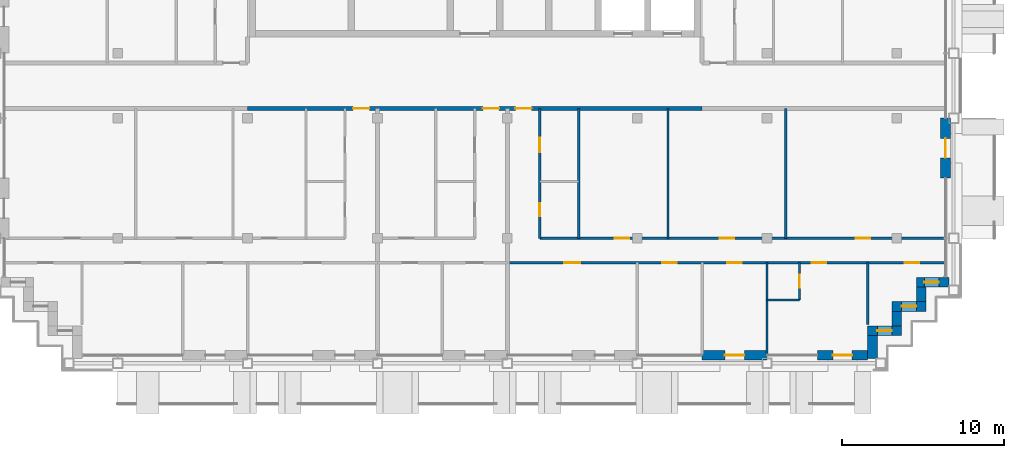
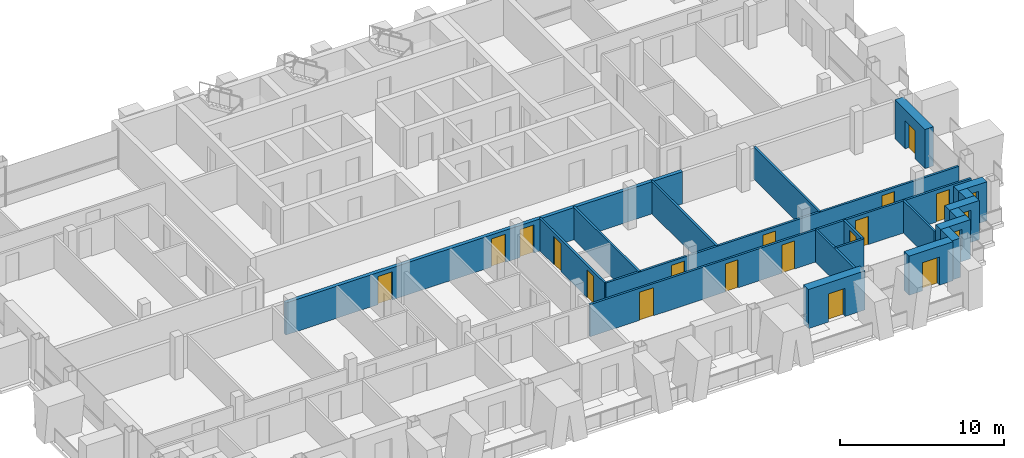
# One storey, part 9 of 16: 20 walls, 17 doors, 3 windows, 20 openings.
"""IFC4 building model written with IfcOpenShell, lengths in metres."""

from ifc_helpers import new_model, si_unit, direction, frame, frame_2d, origin, place, context, subcontext, project, spatial, rectangle, extrude, material, layer, layer_set, type_object, element, fill, save


model = new_model("IFC4")

# Units and contexts
model_context = context("Model", 3, precision=1e-05, world=origin(), true_north=direction((0.0, 1.0)))
body_context = subcontext(model_context, "Body", "Model", "MODEL_VIEW")
ifc_project = project(units=[si_unit("LENGTHUNIT", "METRE"), si_unit("AREAUNIT", "SQUARE_METRE"), si_unit("VOLUMEUNIT", "CUBIC_METRE"), si_unit("PLANEANGLEUNIT", "RADIAN"), si_unit("MASSUNIT", "GRAM", prefix="KILO")], contexts=[model_context])

# Site, building, storey
site_placement = place(None, origin())
site = spatial("IfcSite", under=ifc_project, at=site_placement, CompositionType="ELEMENT")
building_placement = place(site_placement, origin())
building = spatial("IfcBuilding", under=site, at=building_placement, Name="Vidyagriha Tower", CompositionType="ELEMENT")
storey_placement = place(building_placement, frame((0.0, 0.0, 217.199951171875)))
storey = spatial("IfcBuildingStorey", under=building, at=storey_placement, Name="L56", CompositionType="ELEMENT", Elevation=217.199951171875)

# Wall, opening, door
ifc_material_1 = material(Name="Precast concrete C40/50 with brick facing", Category="concrete")
ifc_layer_1 = layer(ifc_material_1, 0.60009765625)
ifc_layer_set_1 = layer_set([ifc_layer_1], Name="Precast concrete C40/50 with brick facing")
wall_type_1 = type_object("IfcWallType", Name="Brick-faced precast wall 600", PredefinedType="STANDARD", material=ifc_layer_set_1)
wall_1_placement = place(storey_placement, frame((14.0, -16.60009765625, 0.0)))
wall_1 = element("IfcWall", 1, at=wall_1_placement, inside=storey, type_object=wall_type_1, Name="Brick door bay wall L56 R23.11", PredefinedType="STANDARD", context=body_context, shape_type="SweptSolid", body=[
    extrude(rectangle(XDim=4.0, YDim=0.60009765625, at=frame_2d((2.0, 0.0))), origin(), (0.0, 0.0, 1.0), 2.920166015625),
])
opening_1_placement = place(wall_1_placement, frame((1.39990234375, 0.0, 0.0)))
opening_1 = element("IfcOpeningElement", 2, at=opening_1_placement, cuts=wall_1, Name="Opening D56-65", PredefinedType="OPENING", context=body_context, shape_type="SweptSolid", body=[
    extrude(rectangle(XDim=1.199951171875, YDim=2.10009765625, at=frame_2d((0.60009765625, 1.050048828125))), frame((0.0, 0.31005859375, 0.0), z_axis=(0.0, -1.0, 0.0), x_axis=(1.0, 0.0, 0.0)), (0.0, 0.0, 1.0), 0.6201171875),
])
ifc_material_2 = material(Name="Aluminium framed glazed sliding door", Category="aluminium")
door_type_1 = type_object("IfcDoorType", Name="Balcony sliding door 1200x2100", OperationType="NOTDEFINED", PredefinedType="DOOR", material=ifc_material_2)
door_1_placement = place(opening_1_placement, origin())
door_1 = element("IfcDoor", 3, at=door_1_placement, inside=storey, type_object=door_type_1, Name="Door D56-65", OperationType="SLIDING_TO_LEFT", OverallHeight=2.10009765625, OverallWidth=1.199951171875, PredefinedType="DOOR", context=body_context, shape_type="SweptSolid", body=[
    extrude(rectangle(XDim=1.199951171875, YDim=2.10009765625, at=frame_2d((0.60009765625, 1.050048828125))), frame((0.0, 0.02490234375, 0.0), z_axis=(0.0, -1.0, 0.0), x_axis=(1.0, 0.0, 0.0)), (0.0, 0.0, 1.0), 0.050048828125),
])
fill(opening_1, door_1)

wall_2_placement = place(storey_placement, frame((21.10009765625, -16.60009765625, 0.0)))
wall_2 = element("IfcWall", 4, at=wall_2_placement, inside=storey, type_object=wall_type_1, Name="Brick door bay wall L56 R23.13", PredefinedType="STANDARD", context=body_context, shape_type="SweptSolid", body=[
    extrude(rectangle(XDim=3.099853515625, YDim=0.60009765625, at=frame_2d((1.5498046875, 0.0))), origin(), (0.0, 0.0, 1.0), 2.920166015625),
])
opening_2_placement = place(wall_2_placement, frame((0.949951171875, 0.0, 0.0)))
opening_2 = element("IfcOpeningElement", 5, at=opening_2_placement, cuts=wall_2, Name="Opening D56-66", PredefinedType="OPENING", context=body_context, shape_type="SweptSolid", body=[
    extrude(rectangle(XDim=1.199951171875, YDim=2.10009765625, at=frame_2d((0.60009765625, 1.050048828125))), frame((0.0, 0.31005859375, 0.0), z_axis=(0.0, -1.0, 0.0), x_axis=(1.0, 0.0, 0.0)), (0.0, 0.0, 1.0), 0.6201171875),
])
door_2_placement = place(opening_2_placement, origin())
door_2 = element("IfcDoor", 6, at=door_2_placement, inside=storey, type_object=door_type_1, Name="Door D56-66", OperationType="SLIDING_TO_LEFT", OverallHeight=2.10009765625, OverallWidth=1.199951171875, PredefinedType="DOOR", context=body_context, shape_type="SweptSolid", body=[
    extrude(rectangle(XDim=1.199951171875, YDim=2.10009765625, at=frame_2d((0.60009765625, 1.050048828125))), frame((0.0, 0.02490234375, 0.0), z_axis=(0.0, -1.0, 0.0), x_axis=(1.0, 0.0, 0.0)), (0.0, 0.0, 1.0), 0.050048828125),
])
fill(opening_2, door_2)

# Wall
wall_3_placement = place(storey_placement, frame((24.5, -16.800048828125, 0.0), z_axis=(0.0, 0.0, 1.0), x_axis=(0.0, 1.0, 0.0)))
element("IfcWall", 7, at=wall_3_placement, inside=storey, type_object=wall_type_1, Name="Stepped corner wall L56 R24", PredefinedType="STANDARD", context=body_context, shape_type="SweptSolid", body=[
    extrude(rectangle(XDim=1.400146484375, YDim=0.60009765625, at=frame_2d((0.7001953125, 0.0))), origin(), (0.0, 0.0, 1.0), 2.920166015625),
])

# Wall, opening, window
wall_4_placement = place(storey_placement, frame((24.199951171875, -15.10009765625, 0.0)))
wall_4 = element("IfcWall", 8, at=wall_4_placement, inside=storey, type_object=wall_type_1, Name="Stepped corner wall L56 R25", PredefinedType="STANDARD", context=body_context, shape_type="SweptSolid", body=[
    extrude(rectangle(XDim=2.10009765625, YDim=0.60009765625, at=frame_2d((1.050048828125, 0.0))), origin(), (0.0, 0.0, 1.0), 2.920166015625),
])
opening_3_placement = place(wall_4_placement, frame((0.60009765625, 0.0, 0.89990234375)))
opening_3 = element("IfcOpeningElement", 9, at=opening_3_placement, cuts=wall_4, Name="Opening WN1", PredefinedType="OPENING", context=body_context, shape_type="SweptSolid", body=[
    extrude(rectangle(XDim=0.89990234375, YDim=1.5, at=frame_2d((0.449951171875, 0.75))), frame((0.0, 0.31005859375, 0.0), z_axis=(0.0, -1.0, 0.0), x_axis=(1.0, 0.0, 0.0)), (0.0, 0.0, 1.0), 0.6201171875),
])
ifc_material_3 = material(Name="Aluminium and glass window", Category="aluminium")
window_type = type_object("IfcWindowType", Name="Reveal window 900x1500", PartitioningType="NOTDEFINED", PredefinedType="WINDOW", material=ifc_material_3)
window_1_placement = place(opening_3_placement, origin())
window_1 = element("IfcWindow", 10, at=window_1_placement, inside=storey, type_object=window_type, Name="Reveal window L56 R25", OverallHeight=1.5, OverallWidth=0.89990234375, PartitioningType="SINGLE_PANEL", PredefinedType="WINDOW", context=body_context, shape_type="SweptSolid", body=[
    extrude(rectangle(XDim=0.89990234375, YDim=1.5, at=frame_2d((0.449951171875, 0.75))), frame((0.0, 0.030029296875, 0.0), z_axis=(0.0, -1.0, 0.0), x_axis=(1.0, 0.0, 0.0)), (0.0, 0.0, 1.0), 0.06005859375),
])
fill(opening_3, window_1)

# Wall
wall_5_placement = place(storey_placement, frame((26.0, -14.800048828125, 0.0), z_axis=(0.0, 0.0, 1.0), x_axis=(0.0, 1.0, 0.0)))
element("IfcWall", 11, at=wall_5_placement, inside=storey, type_object=wall_type_1, Name="Stepped corner wall L56 R26", PredefinedType="STANDARD", context=body_context, shape_type="SweptSolid", body=[
    extrude(rectangle(XDim=0.900146484375, YDim=0.60009765625, at=frame_2d((0.4501953125, 0.0))), origin(), (0.0, 0.0, 1.0), 2.920166015625),
])

# Wall, opening, window
wall_6_placement = place(storey_placement, frame((25.699951171875, -13.60009765625, 0.0)))
wall_6 = element("IfcWall", 12, at=wall_6_placement, inside=storey, type_object=wall_type_1, Name="Stepped corner wall L56 R27", PredefinedType="STANDARD", context=body_context, shape_type="SweptSolid", body=[
    extrude(rectangle(XDim=2.10009765625, YDim=0.60009765625, at=frame_2d((1.050048828125, 0.0))), origin(), (0.0, 0.0, 1.0), 2.920166015625),
])
opening_4_placement = place(wall_6_placement, frame((0.60009765625, 0.0, 0.89990234375)))
opening_4 = element("IfcOpeningElement", 13, at=opening_4_placement, cuts=wall_6, Name="Opening WN1", PredefinedType="OPENING", context=body_context, shape_type="SweptSolid", body=[
    extrude(rectangle(XDim=0.89990234375, YDim=1.5, at=frame_2d((0.449951171875, 0.75))), frame((0.0, 0.31005859375, 0.0), z_axis=(0.0, -1.0, 0.0), x_axis=(1.0, 0.0, 0.0)), (0.0, 0.0, 1.0), 0.6201171875),
])
window_2_placement = place(opening_4_placement, origin())
window_2 = element("IfcWindow", 14, at=window_2_placement, inside=storey, type_object=window_type, Name="Reveal window L56 R27", OverallHeight=1.5, OverallWidth=0.89990234375, PartitioningType="SINGLE_PANEL", PredefinedType="WINDOW", context=body_context, shape_type="SweptSolid", body=[
    extrude(rectangle(XDim=0.89990234375, YDim=1.5, at=frame_2d((0.449951171875, 0.75))), frame((0.0, 0.030029296875, 0.0), z_axis=(0.0, -1.0, 0.0), x_axis=(1.0, 0.0, 0.0)), (0.0, 0.0, 1.0), 0.06005859375),
])
fill(opening_4, window_2)

# Wall
wall_7_placement = place(storey_placement, frame((27.5, -13.300048828125, 0.0), z_axis=(0.0, 0.0, 1.0), x_axis=(0.0, 1.0, 0.0)))
element("IfcWall", 15, at=wall_7_placement, inside=storey, type_object=wall_type_1, Name="Stepped corner wall L56 R28", PredefinedType="STANDARD", context=body_context, shape_type="SweptSolid", body=[
    extrude(rectangle(XDim=0.900146484375, YDim=0.60009765625, at=frame_2d((0.4501953125, 0.0))), origin(), (0.0, 0.0, 1.0), 2.920166015625),
])

# Wall, opening, window
wall_8_placement = place(storey_placement, frame((27.199951171875, -12.10009765625, 0.0)))
wall_8 = element("IfcWall", 16, at=wall_8_placement, inside=storey, type_object=wall_type_1, Name="Stepped corner wall L56 R29", PredefinedType="STANDARD", context=body_context, shape_type="SweptSolid", body=[
    extrude(rectangle(XDim=2.0, YDim=0.60009765625, at=frame_2d((1.0, 0.0))), origin(), (0.0, 0.0, 1.0), 2.920166015625),
])
opening_5_placement = place(wall_8_placement, frame((0.489990234375, 0.0, 0.89990234375)))
opening_5 = element("IfcOpeningElement", 17, at=opening_5_placement, cuts=wall_8, Name="Opening WN1", PredefinedType="OPENING", context=body_context, shape_type="SweptSolid", body=[
    extrude(rectangle(XDim=0.89990234375, YDim=1.5, at=frame_2d((0.449951171875, 0.75))), frame((0.0, 0.31005859375, 0.0), z_axis=(0.0, -1.0, 0.0), x_axis=(1.0, 0.0, 0.0)), (0.0, 0.0, 1.0), 0.6201171875),
])
window_3_placement = place(opening_5_placement, origin())
window_3 = element("IfcWindow", 18, at=window_3_placement, inside=storey, type_object=window_type, Name="Reveal window L56 R29", OverallHeight=1.5, OverallWidth=0.89990234375, PartitioningType="SINGLE_PANEL", PredefinedType="WINDOW", context=body_context, shape_type="SweptSolid", body=[
    extrude(rectangle(XDim=0.89990234375, YDim=1.5, at=frame_2d((0.449951171875, 0.75))), frame((0.0, 0.030029296875, 0.0), z_axis=(0.0, -1.0, 0.0), x_axis=(1.0, 0.0, 0.0)), (0.0, 0.0, 1.0), 0.06005859375),
])
fill(opening_5, window_3)

# Wall, opening, door
wall_9_placement = place(storey_placement, frame((29.0, -5.699951171875, 0.0), z_axis=(0.0, 0.0, 1.0), x_axis=(0.0, 1.0, 0.0)))
wall_9 = element("IfcWall", 19, at=wall_9_placement, inside=storey, type_object=wall_type_1, Name="Brick door bay wall L56 R30.3", PredefinedType="STANDARD", context=body_context, shape_type="SweptSolid", body=[
    extrude(rectangle(XDim=3.699951171875, YDim=0.60009765625, at=frame_2d((1.85009765625, 0.0))), origin(), (0.0, 0.0, 1.0), 2.920166015625),
])
opening_6_placement = place(wall_9_placement, frame((1.25, 0.0, 0.0)))
opening_6 = element("IfcOpeningElement", 20, at=opening_6_placement, cuts=wall_9, Name="Opening D56-67", PredefinedType="OPENING", context=body_context, shape_type="SweptSolid", body=[
    extrude(rectangle(XDim=1.199951171875, YDim=2.10009765625, at=frame_2d((0.60009765625, 1.050048828125))), frame((0.0, 0.31005859375, 0.0), z_axis=(0.0, -1.0, 0.0), x_axis=(1.0, 0.0, 0.0)), (0.0, 0.0, 1.0), 0.6201171875),
])
door_3_placement = place(opening_6_placement, origin())
door_3 = element("IfcDoor", 21, at=door_3_placement, inside=storey, type_object=door_type_1, Name="Door D56-67", OperationType="SLIDING_TO_LEFT", OverallHeight=2.10009765625, OverallWidth=1.199951171875, PredefinedType="DOOR", context=body_context, shape_type="SweptSolid", body=[
    extrude(rectangle(XDim=1.199951171875, YDim=2.10009765625, at=frame_2d((0.60009765625, 1.050048828125))), frame((0.0, 0.02490234375, 0.0), z_axis=(0.0, -1.0, 0.0), x_axis=(1.0, 0.0, 0.0)), (0.0, 0.0, 1.0), 0.050048828125),
])
fill(opening_6, door_3)

# Wall, openings, doors
ifc_material_4 = material(Name="Fired clay brick masonry", Category="masonry")
ifc_layer_2 = layer(ifc_material_4, 0.25)
ifc_layer_set_2 = layer_set([ifc_layer_2], Name="Fired clay brick masonry")
wall_type_2 = type_object("IfcWallType", Name="Fired clay brick corridor wall 250", PredefinedType="PARTITIONING", material=ifc_layer_set_2)
wall_10_placement = place(storey_placement, frame((14.0, -1.39990234375, 0.0), z_axis=(0.0, 0.0, 1.0), x_axis=(-1.0, 0.0, 0.0)))
wall_10 = element("IfcWall", 22, at=wall_10_placement, inside=storey, type_object=wall_type_2, Name="Wall all-L56-w092", PredefinedType="PARTITIONING", context=body_context, shape_type="SweptSolid", body=[
    extrude(rectangle(XDim=28.0, YDim=0.25, at=frame_2d((14.0, 0.0))), origin(), (0.0, 0.0, 1.0), 2.400146484375),
])
opening_7_placement = place(wall_10_placement, frame((20.5, 0.0, 0.0)))
opening_7 = element("IfcOpeningElement", 23, at=opening_7_placement, cuts=wall_10, Name="Opening D56-26", PredefinedType="OPENING", context=body_context, shape_type="SweptSolid", body=[
    extrude(rectangle(XDim=1.0, YDim=2.10009765625, at=frame_2d((0.5, 1.050048828125))), frame((0.0, 0.135009765625, 0.0), z_axis=(0.0, -1.0, 0.0), x_axis=(1.0, 0.0, 0.0)), (0.0, 0.0, 1.0), 0.27001953125),
])
opening_8_placement = place(wall_10_placement, frame((12.5, 0.0, 0.0)))
opening_8 = element("IfcOpeningElement", 24, at=opening_8_placement, cuts=wall_10, Name="Opening D56-32", PredefinedType="OPENING", context=body_context, shape_type="SweptSolid", body=[
    extrude(rectangle(XDim=1.0, YDim=2.10009765625, at=frame_2d((0.5, 1.050048828125))), frame((0.0, 0.135009765625, 0.0), z_axis=(0.0, -1.0, 0.0), x_axis=(1.0, 0.0, 0.0)), (0.0, 0.0, 1.0), 0.27001953125),
])
opening_9_placement = place(wall_10_placement, frame((10.5, 0.0, 0.0)))
opening_9 = element("IfcOpeningElement", 25, at=opening_9_placement, cuts=wall_10, Name="Opening D56-44", PredefinedType="OPENING", context=body_context, shape_type="SweptSolid", body=[
    extrude(rectangle(XDim=1.0, YDim=2.10009765625, at=frame_2d((0.5, 1.050048828125))), frame((0.0, 0.135009765625, 0.0), z_axis=(0.0, -1.0, 0.0), x_axis=(1.0, 0.0, 0.0)), (0.0, 0.0, 1.0), 0.27001953125),
])
ifc_material_5 = material(Name="Fire-rated timber door leaf EI 60", Category="wood")
door_type_2 = type_object("IfcDoorType", Name="Flat entrance fire door 1000x2100", OperationType="NOTDEFINED", PredefinedType="DOOR", material=ifc_material_5)
door_4_placement = place(opening_7_placement, origin())
door_4 = element("IfcDoor", 26, at=door_4_placement, inside=storey, type_object=door_type_2, Name="Door D56-26", OperationType="SINGLE_SWING_LEFT", OverallHeight=2.10009765625, OverallWidth=1.0, PredefinedType="DOOR", context=body_context, shape_type="SweptSolid", body=[
    extrude(rectangle(XDim=1.0, YDim=2.10009765625, at=frame_2d((0.5, 1.050048828125))), frame((0.0, 0.02490234375, 0.0), z_axis=(0.0, -1.0, 0.0), x_axis=(1.0, 0.0, 0.0)), (0.0, 0.0, 1.0), 0.050048828125),
])
fill(opening_7, door_4)
door_5_placement = place(opening_8_placement, origin())
door_5 = element("IfcDoor", 27, at=door_5_placement, inside=storey, type_object=door_type_2, Name="Door D56-32", OperationType="SINGLE_SWING_LEFT", OverallHeight=2.10009765625, OverallWidth=1.0, PredefinedType="DOOR", context=body_context, shape_type="SweptSolid", body=[
    extrude(rectangle(XDim=1.0, YDim=2.10009765625, at=frame_2d((0.5, 1.050048828125))), frame((0.0, 0.02490234375, 0.0), z_axis=(0.0, -1.0, 0.0), x_axis=(1.0, 0.0, 0.0)), (0.0, 0.0, 1.0), 0.050048828125),
])
fill(opening_8, door_5)
door_6_placement = place(opening_9_placement, origin())
door_6 = element("IfcDoor", 28, at=door_6_placement, inside=storey, type_object=door_type_2, Name="Door D56-44", OperationType="SINGLE_SWING_RIGHT", OverallHeight=2.10009765625, OverallWidth=1.0, PredefinedType="DOOR", context=body_context, shape_type="SweptSolid", body=[
    extrude(rectangle(XDim=1.0, YDim=2.10009765625, at=frame_2d((0.5, 1.050048828125))), frame((0.0, 0.02490234375, 0.0), z_axis=(0.0, -1.0, 0.0), x_axis=(1.0, 0.0, 0.0)), (0.0, 0.0, 1.0), 0.050048828125),
])
fill(opening_9, door_6)

# Walls
ifc_material_6 = material(Name="Gypsum board partition")
ifc_layer_3 = layer(ifc_material_6, 0.14990234375)
ifc_layer_set_3 = layer_set([ifc_layer_3], Name="Gypsum board partition")
wall_type_3 = type_object("IfcWallType", Name="Gypsum board partition 150", PredefinedType="PARTITIONING", material=ifc_layer_set_3)
for number, where, z_axis, x_axis, name in (
    (29, (6.39990234375, -1.39990234375, 0.0), (0.0, 0.0, 1.0), (0.0, -1.0, 0.0), "Wall all-L56-w038"),
    (30, (11.89990234375, -1.39990234375, 0.0), (0.0, 0.0, 1.0), (0.0, -1.0, 0.0), "Wall all-L56-w039"),
    (31, (19.14990234375, -1.39990234375, 0.0), (0.0, 0.0, 1.0), (0.0, -1.0, 0.0), "Wall all-L56-w040"),
):
    element("IfcWall", number, at=place(storey_placement, frame(where, z_axis=z_axis, x_axis=x_axis)), inside=storey, type_object=wall_type_3, Name=name, PredefinedType="PARTITIONING", context=body_context, shape_type="SweptSolid", body=[
        extrude(rectangle(XDim=8.0, YDim=0.14990234375, at=frame_2d((4.0, 0.0))), origin(), (0.0, 0.0, 1.0), 2.400146484375),
    ])

# Wall, openings, doors
wall_11_placement = place(storey_placement, frame((4.0, -9.39990234375, 0.0)))
wall_11 = element("IfcWall", 32, at=wall_11_placement, inside=storey, type_object=wall_type_3, Name="Wall all-L56-w041", PredefinedType="PARTITIONING", context=body_context, shape_type="SweptSolid", body=[
    extrude(rectangle(XDim=24.919921875, YDim=0.14990234375, at=frame_2d((12.4599609375, 0.0))), origin(), (0.0, 0.0, 1.0), 2.400146484375),
])
opening_10_placement = place(wall_11_placement, frame((4.6240234375, 0.0, 0.0)))
opening_10 = element("IfcOpeningElement", 33, at=opening_10_placement, cuts=wall_11, Name="Opening D56-35", PredefinedType="OPENING", context=body_context, shape_type="SweptSolid", body=[
    extrude(rectangle(XDim=0.89990234375, YDim=2.10009765625, at=frame_2d((0.449951171875, 1.050048828125))), frame((0.0, 0.0849609375, 0.0), z_axis=(0.0, -1.0, 0.0), x_axis=(1.0, 0.0, 0.0)), (0.0, 0.0, 1.0), 0.169921875),
])
opening_11_placement = place(wall_11_placement, frame((11.074951171875, 0.0, 0.0)))
opening_11 = element("IfcOpeningElement", 34, at=opening_11_placement, cuts=wall_11, Name="Opening D56-36", PredefinedType="OPENING", context=body_context, shape_type="SweptSolid", body=[
    extrude(rectangle(XDim=0.89990234375, YDim=2.10009765625, at=frame_2d((0.449951171875, 1.050048828125))), frame((0.0, 0.0849609375, 0.0), z_axis=(0.0, -1.0, 0.0), x_axis=(1.0, 0.0, 0.0)), (0.0, 0.0, 1.0), 0.169921875),
])
opening_12_placement = place(wall_11_placement, frame((19.47509765625, 0.0, 0.0)))
opening_12 = element("IfcOpeningElement", 35, at=opening_12_placement, cuts=wall_11, Name="Opening D56-37", PredefinedType="OPENING", context=body_context, shape_type="SweptSolid", body=[
    extrude(rectangle(XDim=0.89990234375, YDim=2.10009765625, at=frame_2d((0.449951171875, 1.050048828125))), frame((0.0, 0.0849609375, 0.0), z_axis=(0.0, -1.0, 0.0), x_axis=(1.0, 0.0, 0.0)), (0.0, 0.0, 1.0), 0.169921875),
])
ifc_material_7 = material(Name="Timber door leaf", Category="wood")
door_type_3 = type_object("IfcDoorType", Name="Room door 900x2100", OperationType="NOTDEFINED", PredefinedType="DOOR", material=ifc_material_7)
door_7_placement = place(opening_10_placement, origin())
door_7 = element("IfcDoor", 36, at=door_7_placement, inside=storey, type_object=door_type_3, Name="Door D56-35", OperationType="SINGLE_SWING_LEFT", OverallHeight=2.10009765625, OverallWidth=0.89990234375, PredefinedType="DOOR", context=body_context, shape_type="SweptSolid", body=[
    extrude(rectangle(XDim=0.89990234375, YDim=2.10009765625, at=frame_2d((0.449951171875, 1.050048828125))), frame((0.0, 0.02490234375, 0.0), z_axis=(0.0, -1.0, 0.0), x_axis=(1.0, 0.0, 0.0)), (0.0, 0.0, 1.0), 0.050048828125),
])
fill(opening_10, door_7)
door_8_placement = place(opening_11_placement, origin())
door_8 = element("IfcDoor", 37, at=door_8_placement, inside=storey, type_object=door_type_3, Name="Door D56-36", OperationType="SINGLE_SWING_RIGHT", OverallHeight=2.10009765625, OverallWidth=0.89990234375, PredefinedType="DOOR", context=body_context, shape_type="SweptSolid", body=[
    extrude(rectangle(XDim=0.89990234375, YDim=2.10009765625, at=frame_2d((0.449951171875, 1.050048828125))), frame((0.0, 0.02490234375, 0.0), z_axis=(0.0, -1.0, 0.0), x_axis=(1.0, 0.0, 0.0)), (0.0, 0.0, 1.0), 0.050048828125),
])
fill(opening_11, door_8)
door_9_placement = place(opening_12_placement, origin())
door_9 = element("IfcDoor", 38, at=door_9_placement, inside=storey, type_object=door_type_3, Name="Door D56-37", OperationType="SINGLE_SWING_RIGHT", OverallHeight=2.10009765625, OverallWidth=0.89990234375, PredefinedType="DOOR", context=body_context, shape_type="SweptSolid", body=[
    extrude(rectangle(XDim=0.89990234375, YDim=2.10009765625, at=frame_2d((0.449951171875, 1.050048828125))), frame((0.0, 0.02490234375, 0.0), z_axis=(0.0, -1.0, 0.0), x_axis=(1.0, 0.0, 0.0)), (0.0, 0.0, 1.0), 0.050048828125),
])
fill(opening_12, door_9)

wall_12_placement = place(storey_placement, frame((28.919921875, -10.89990234375, 0.0), z_axis=(0.0, 0.0, 1.0), x_axis=(-1.0, 0.0, 0.0)))
wall_12 = element("IfcWall", 39, at=wall_12_placement, inside=storey, type_object=wall_type_3, Name="Wall all-L56-w045", PredefinedType="PARTITIONING", context=body_context, shape_type="SweptSolid", body=[
    extrude(rectangle(XDim=26.919921875, YDim=0.14990234375, at=frame_2d((13.4599609375, 0.0))), origin(), (0.0, 0.0, 1.0), 2.400146484375),
])
opening_13_placement = place(wall_12_placement, frame((22.419921875, 0.0, 0.0)))
opening_13 = element("IfcOpeningElement", 40, at=opening_13_placement, cuts=wall_12, Name="Opening D56-38", PredefinedType="OPENING", context=body_context, shape_type="SweptSolid", body=[
    extrude(rectangle(XDim=1.0, YDim=2.10009765625, at=frame_2d((0.5, 1.050048828125))), frame((0.0, 0.0849609375, 0.0), z_axis=(0.0, -1.0, 0.0), x_axis=(1.0, 0.0, 0.0)), (0.0, 0.0, 1.0), 0.169921875),
])
opening_14_placement = place(wall_12_placement, frame((16.469970703125, 0.0, 0.0)))
opening_14 = element("IfcOpeningElement", 41, at=opening_14_placement, cuts=wall_12, Name="Opening D56-39", PredefinedType="OPENING", context=body_context, shape_type="SweptSolid", body=[
    extrude(rectangle(XDim=0.89990234375, YDim=2.10009765625, at=frame_2d((0.449951171875, 1.050048828125))), frame((0.0, 0.0849609375, 0.0), z_axis=(0.0, -1.0, 0.0), x_axis=(1.0, 0.0, 0.0)), (0.0, 0.0, 1.0), 0.169921875),
])
opening_15_placement = place(wall_12_placement, frame((12.469970703125, 0.0, 0.0)))
opening_15 = element("IfcOpeningElement", 42, at=opening_15_placement, cuts=wall_12, Name="Opening D56-40", PredefinedType="OPENING", context=body_context, shape_type="SweptSolid", body=[
    extrude(rectangle(XDim=0.89990234375, YDim=2.10009765625, at=frame_2d((0.449951171875, 1.050048828125))), frame((0.0, 0.0849609375, 0.0), z_axis=(0.0, -1.0, 0.0), x_axis=(1.0, 0.0, 0.0)), (0.0, 0.0, 1.0), 0.169921875),
])
opening_16_placement = place(wall_12_placement, frame((7.27001953125, 0.0, 0.0)))
opening_16 = element("IfcOpeningElement", 43, at=opening_16_placement, cuts=wall_12, Name="Opening D56-41", PredefinedType="OPENING", context=body_context, shape_type="SweptSolid", body=[
    extrude(rectangle(XDim=0.89990234375, YDim=2.10009765625, at=frame_2d((0.449951171875, 1.050048828125))), frame((0.0, 0.0849609375, 0.0), z_axis=(0.0, -1.0, 0.0), x_axis=(1.0, 0.0, 0.0)), (0.0, 0.0, 1.0), 0.169921875),
])
opening_17_placement = place(wall_12_placement, frame((1.5439453125, 0.0, 0.0)))
opening_17 = element("IfcOpeningElement", 44, at=opening_17_placement, cuts=wall_12, Name="Opening D56-42", PredefinedType="OPENING", context=body_context, shape_type="SweptSolid", body=[
    extrude(rectangle(XDim=0.89990234375, YDim=2.10009765625, at=frame_2d((0.449951171875, 1.050048828125))), frame((0.0, 0.0849609375, 0.0), z_axis=(0.0, -1.0, 0.0), x_axis=(1.0, 0.0, 0.0)), (0.0, 0.0, 1.0), 0.169921875),
])
ifc_material_8 = material(Name="Timber door leaf", Category="wood")
door_type_4 = type_object("IfcDoorType", Name="Room door 1000x2100", OperationType="NOTDEFINED", PredefinedType="DOOR", material=ifc_material_8)
door_10_placement = place(opening_13_placement, origin())
door_10 = element("IfcDoor", 45, at=door_10_placement, inside=storey, type_object=door_type_4, Name="Door D56-38", OperationType="SINGLE_SWING_RIGHT", OverallHeight=2.10009765625, OverallWidth=1.0, PredefinedType="DOOR", context=body_context, shape_type="SweptSolid", body=[
    extrude(rectangle(XDim=1.0, YDim=2.10009765625, at=frame_2d((0.5, 1.050048828125))), frame((0.0, 0.02490234375, 0.0), z_axis=(0.0, -1.0, 0.0), x_axis=(1.0, 0.0, 0.0)), (0.0, 0.0, 1.0), 0.050048828125),
])
fill(opening_13, door_10)
door_11_placement = place(opening_14_placement, origin())
door_11 = element("IfcDoor", 46, at=door_11_placement, inside=storey, type_object=door_type_3, Name="Door D56-39", OperationType="SINGLE_SWING_RIGHT", OverallHeight=2.10009765625, OverallWidth=0.89990234375, PredefinedType="DOOR", context=body_context, shape_type="SweptSolid", body=[
    extrude(rectangle(XDim=0.89990234375, YDim=2.10009765625, at=frame_2d((0.449951171875, 1.050048828125))), frame((0.0, 0.02490234375, 0.0), z_axis=(0.0, -1.0, 0.0), x_axis=(1.0, 0.0, 0.0)), (0.0, 0.0, 1.0), 0.050048828125),
])
fill(opening_14, door_11)
door_12_placement = place(opening_15_placement, origin())
door_12 = element("IfcDoor", 47, at=door_12_placement, inside=storey, type_object=door_type_3, Name="Door D56-40", OperationType="SINGLE_SWING_RIGHT", OverallHeight=2.10009765625, OverallWidth=0.89990234375, PredefinedType="DOOR", context=body_context, shape_type="SweptSolid", body=[
    extrude(rectangle(XDim=0.89990234375, YDim=2.10009765625, at=frame_2d((0.449951171875, 1.050048828125))), frame((0.0, 0.02490234375, 0.0), z_axis=(0.0, -1.0, 0.0), x_axis=(1.0, 0.0, 0.0)), (0.0, 0.0, 1.0), 0.050048828125),
])
fill(opening_15, door_12)
door_13_placement = place(opening_16_placement, origin())
door_13 = element("IfcDoor", 48, at=door_13_placement, inside=storey, type_object=door_type_3, Name="Door D56-41", OperationType="SINGLE_SWING_LEFT", OverallHeight=2.10009765625, OverallWidth=0.89990234375, PredefinedType="DOOR", context=body_context, shape_type="SweptSolid", body=[
    extrude(rectangle(XDim=0.89990234375, YDim=2.10009765625, at=frame_2d((0.449951171875, 1.050048828125))), frame((0.0, 0.02490234375, 0.0), z_axis=(0.0, -1.0, 0.0), x_axis=(1.0, 0.0, 0.0)), (0.0, 0.0, 1.0), 0.050048828125),
])
fill(opening_16, door_13)
door_14_placement = place(opening_17_placement, origin())
door_14 = element("IfcDoor", 49, at=door_14_placement, inside=storey, type_object=door_type_3, Name="Door D56-42", OperationType="SINGLE_SWING_LEFT", OverallHeight=2.10009765625, OverallWidth=0.89990234375, PredefinedType="DOOR", context=body_context, shape_type="SweptSolid", body=[
    extrude(rectangle(XDim=0.89990234375, YDim=2.10009765625, at=frame_2d((0.449951171875, 1.050048828125))), frame((0.0, 0.02490234375, 0.0), z_axis=(0.0, -1.0, 0.0), x_axis=(1.0, 0.0, 0.0)), (0.0, 0.0, 1.0), 0.050048828125),
])
fill(opening_17, door_14)

# Walls
wall_13_placement = place(storey_placement, frame((18.0, -10.89990234375, 0.0), z_axis=(0.0, 0.0, 1.0), x_axis=(0.0, -1.0, 0.0)))
element("IfcWall", 50, at=wall_13_placement, inside=storey, type_object=wall_type_3, Name="Wall all-L56-w053", PredefinedType="PARTITIONING", context=body_context, shape_type="SweptSolid", body=[
    extrude(rectangle(XDim=5.610107421875, YDim=0.14990234375, at=frame_2d((2.80517578125, 0.0))), origin(), (0.0, 0.0, 1.0), 2.400146484375),
])
wall_14_placement = place(storey_placement, frame((24.199951171875, -10.89990234375, 0.0), z_axis=(0.0, 0.0, 1.0), x_axis=(0.0, -1.0, 0.0)))
element("IfcWall", 51, at=wall_14_placement, inside=storey, type_object=wall_type_3, Name="Wall all-L56-w054", PredefinedType="PARTITIONING", context=body_context, shape_type="SweptSolid", body=[
    extrude(rectangle(XDim=3.820068359375, YDim=0.14990234375, at=frame_2d((1.91015625, 0.0))), origin(), (0.0, 0.0, 1.0), 2.400146484375),
])

# Wall, opening, door
wall_15_placement = place(storey_placement, frame((20.0, -10.89990234375, 0.0), z_axis=(0.0, 0.0, 1.0), x_axis=(0.0, -1.0, 0.0)))
wall_15 = element("IfcWall", 52, at=wall_15_placement, inside=storey, type_object=wall_type_3, Name="Wall all-L56-w055", PredefinedType="PARTITIONING", context=body_context, shape_type="SweptSolid", body=[
    extrude(rectangle(XDim=2.300048828125, YDim=0.14990234375, at=frame_2d((1.14990234375, 0.0))), origin(), (0.0, 0.0, 1.0), 2.400146484375),
])
opening_18_placement = place(wall_15_placement, frame((0.75, 0.0, 0.0)))
opening_18 = element("IfcOpeningElement", 53, at=opening_18_placement, cuts=wall_15, Name="Opening D56-43", PredefinedType="OPENING", context=body_context, shape_type="SweptSolid", body=[
    extrude(rectangle(XDim=0.800048828125, YDim=2.10009765625, at=frame_2d((0.39990234375, 1.050048828125))), frame((0.0, 0.0849609375, 0.0), z_axis=(0.0, -1.0, 0.0), x_axis=(1.0, 0.0, 0.0)), (0.0, 0.0, 1.0), 0.169921875),
])
ifc_material_9 = material(Name="Timber door leaf", Category="wood")
door_type_5 = type_object("IfcDoorType", Name="Bathroom door 800x2100", OperationType="NOTDEFINED", PredefinedType="DOOR", material=ifc_material_9)
door_15_placement = place(opening_18_placement, origin())
door_15 = element("IfcDoor", 54, at=door_15_placement, inside=storey, type_object=door_type_5, Name="Door D56-43", OperationType="SINGLE_SWING_LEFT", OverallHeight=2.10009765625, OverallWidth=0.800048828125, PredefinedType="DOOR", context=body_context, shape_type="SweptSolid", body=[
    extrude(rectangle(XDim=0.800048828125, YDim=2.10009765625, at=frame_2d((0.39990234375, 1.050048828125))), frame((0.0, 0.02490234375, 0.0), z_axis=(0.0, -1.0, 0.0), x_axis=(1.0, 0.0, 0.0)), (0.0, 0.0, 1.0), 0.050048828125),
])
fill(opening_18, door_15)

# Wall
wall_16_placement = place(storey_placement, frame((20.0, -13.199951171875, 0.0), z_axis=(0.0, 0.0, 1.0), x_axis=(-1.0, 0.0, 0.0)))
element("IfcWall", 55, at=wall_16_placement, inside=storey, type_object=wall_type_3, Name="Wall all-L56-w056", PredefinedType="PARTITIONING", context=body_context, shape_type="SweptSolid", body=[
    extrude(rectangle(XDim=2.0, YDim=0.14990234375, at=frame_2d((1.0, 0.0))), origin(), (0.0, 0.0, 1.0), 2.400146484375),
])

# Wall, openings, doors
ifc_material_10 = material(Name="Moisture resistant gypsum board partition")
ifc_layer_4 = layer(ifc_material_10, 0.14990234375)
ifc_layer_set_4 = layer_set([ifc_layer_4], Name="Moisture resistant gypsum board partition")
wall_type_4 = type_object("IfcWallType", Name="Gypsum board wet-area partition 150", PredefinedType="PARTITIONING", material=ifc_layer_set_4)
wall_17_placement = place(storey_placement, frame((4.0, -1.39990234375, 0.0), z_axis=(0.0, 0.0, 1.0), x_axis=(0.0, -1.0, 0.0)))
wall_17 = element("IfcWall", 56, at=wall_17_placement, inside=storey, type_object=wall_type_4, Name="Wall all-L56-w034", PredefinedType="PARTITIONING", context=body_context, shape_type="SweptSolid", body=[
    extrude(rectangle(XDim=8.0, YDim=0.14990234375, at=frame_2d((4.0, 0.0))), origin(), (0.0, 0.0, 1.0), 2.400146484375),
])
opening_19_placement = place(wall_17_placement, frame((1.800048828125, 0.0, 0.0)))
opening_19 = element("IfcOpeningElement", 57, at=opening_19_placement, cuts=wall_17, Name="Opening D56-33", PredefinedType="OPENING", context=body_context, shape_type="SweptSolid", body=[
    extrude(rectangle(XDim=0.89990234375, YDim=2.10009765625, at=frame_2d((0.449951171875, 1.050048828125))), frame((0.0, 0.0849609375, 0.0), z_axis=(0.0, -1.0, 0.0), x_axis=(1.0, 0.0, 0.0)), (0.0, 0.0, 1.0), 0.169921875),
])
opening_20_placement = place(wall_17_placement, frame((5.85009765625, 0.0, 0.0)))
opening_20 = element("IfcOpeningElement", 58, at=opening_20_placement, cuts=wall_17, Name="Opening D56-34", PredefinedType="OPENING", context=body_context, shape_type="SweptSolid", body=[
    extrude(rectangle(XDim=0.800048828125, YDim=2.10009765625, at=frame_2d((0.39990234375, 1.050048828125))), frame((0.0, 0.0849609375, 0.0), z_axis=(0.0, -1.0, 0.0), x_axis=(1.0, 0.0, 0.0)), (0.0, 0.0, 1.0), 0.169921875),
])
door_16_placement = place(opening_20_placement, origin())
door_16 = element("IfcDoor", 59, at=door_16_placement, inside=storey, type_object=door_type_5, Name="Door D56-34", OperationType="SINGLE_SWING_RIGHT", OverallHeight=2.10009765625, OverallWidth=0.800048828125, PredefinedType="DOOR", context=body_context, shape_type="SweptSolid", body=[
    extrude(rectangle(XDim=0.800048828125, YDim=2.10009765625, at=frame_2d((0.39990234375, 1.050048828125))), frame((0.0, 0.02490234375, 0.0), z_axis=(0.0, -1.0, 0.0), x_axis=(1.0, 0.0, 0.0)), (0.0, 0.0, 1.0), 0.050048828125),
])
fill(opening_20, door_16)
ifc_material_11 = material(Name="Timber door leaf", Category="wood")
door_type_6 = type_object("IfcDoorType", Name="Kitchen door 900x2100", OperationType="NOTDEFINED", PredefinedType="DOOR", material=ifc_material_11)
door_17_placement = place(opening_19_placement, origin())
door_17 = element("IfcDoor", 60, at=door_17_placement, inside=storey, type_object=door_type_6, Name="Door D56-33", OperationType="SINGLE_SWING_LEFT", OverallHeight=2.10009765625, OverallWidth=0.89990234375, PredefinedType="DOOR", context=body_context, shape_type="SweptSolid", body=[
    extrude(rectangle(XDim=0.89990234375, YDim=2.10009765625, at=frame_2d((0.449951171875, 1.050048828125))), frame((0.0, 0.02490234375, 0.0), z_axis=(0.0, -1.0, 0.0), x_axis=(1.0, 0.0, 0.0)), (0.0, 0.0, 1.0), 0.050048828125),
])
fill(opening_19, door_17)

save(model, "model.ifc")
